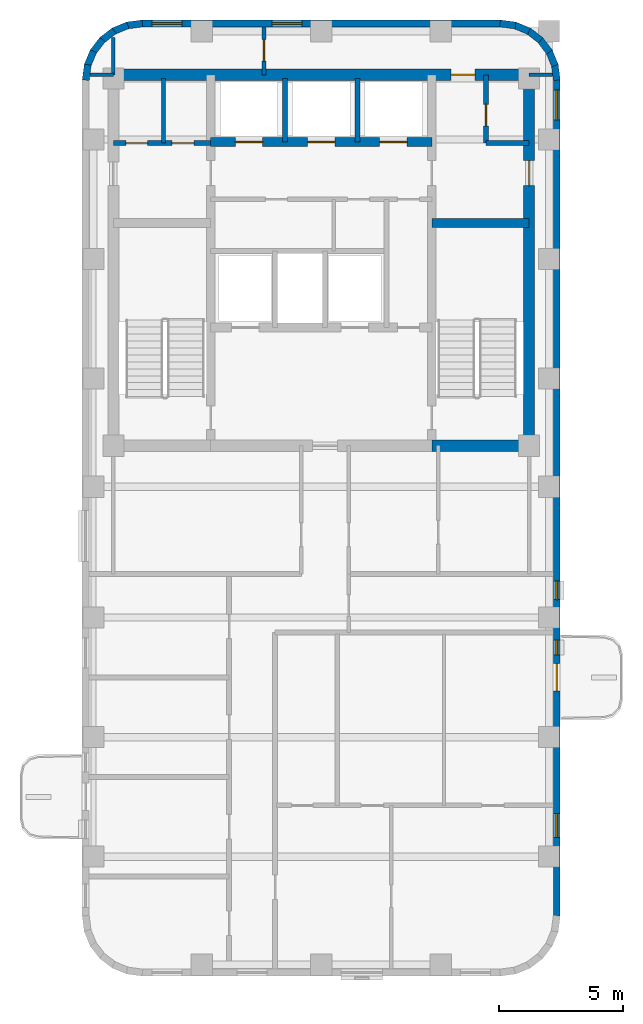
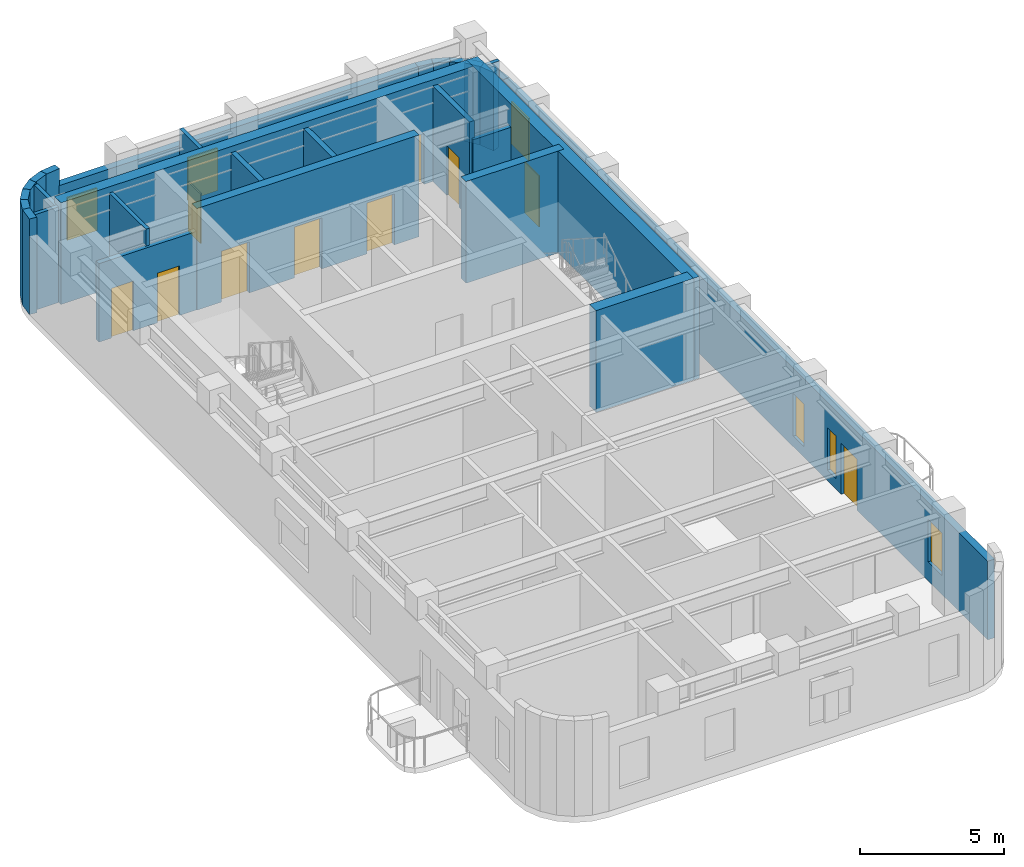
# One storey, part 4 of 6: 29 walls, 10 doors, 6 windows, 16 openings.
"""IFC4 building model written with IfcOpenShell, lengths in metres."""

from ifc_helpers import new_model, si_unit, direction, frame, frame_2d, origin, place, context, subcontext, project, spatial, rectangle, extrude, material, layer, layer_set, type_object, element, fill, save


model = new_model("IFC4")

# Units and contexts
model_context = context("Model", 3, precision=1e-05, world=origin(), true_north=direction((0.0, 1.0)))
body_context = subcontext(model_context, "Body", "Model", "MODEL_VIEW")
ifc_project = project(units=[si_unit("LENGTHUNIT", "METRE"), si_unit("AREAUNIT", "SQUARE_METRE"), si_unit("VOLUMEUNIT", "CUBIC_METRE"), si_unit("PLANEANGLEUNIT", "RADIAN"), si_unit("MASSUNIT", "GRAM", prefix="KILO")], contexts=[model_context])

# Site, building, storey
site_placement = place(None, origin())
site = spatial("IfcSite", under=ifc_project, at=site_placement, CompositionType="ELEMENT")
building_placement = place(site_placement, origin())
building = spatial("IfcBuilding", under=site, at=building_placement, Name="Orvandelia Arch Residences", CompositionType="ELEMENT")
storey_placement = place(building_placement, frame((0.0, 0.0, 244.10009765625)))
storey = spatial("IfcBuildingStorey", under=building, at=storey_placement, Name="L64", CompositionType="ELEMENT", Elevation=244.10009765625)

# Wall
ifc_material_1 = material(Name="Concrete C50/60", Category="concrete")
ifc_layer_1 = layer(ifc_material_1, 0.35009765625, Name="Concrete C50/60", Category="concrete")
ifc_layer_set_1 = layer_set([ifc_layer_1], Name="Concrete C50/60")
wall_type_1 = type_object("IfcWallType", Name="WL-CORE-350", PredefinedType="SHEAR", material=ifc_layer_set_1)
wall_1_placement = place(storey_placement, frame((18.840087890625, 39.85009765625, 0.0), z_axis=(0.0, 0.0, 1.0), x_axis=(1.0, 0.0, 0.0)))
element("IfcWall", 1, at=wall_1_placement, inside=storey, type_object=wall_type_1, Name="Core Shear Wall L64-HZ2", PredefinedType="SHEAR", context=body_context, shape_type="SweptSolid", body=[
    extrude(rectangle(XDim=3.909912109375, YDim=0.35009765625, at=frame_2d((1.955078125, 0.0))), origin(), (0.0, 0.0, 1.0), 4.2998046875),
])

# Wall, openings, doors
wall_2_placement = place(storey_placement, frame((9.9599609375, 43.10009765625, 0.0), z_axis=(0.0, 0.0, 1.0), x_axis=(1.0, 0.0, 0.0)))
wall_2 = element("IfcWall", 2, at=wall_2_placement, inside=storey, type_object=wall_type_1, Name="Core Shear Wall L64-HZ4", PredefinedType="SHEAR", context=body_context, shape_type="SweptSolid", body=[
    extrude(rectangle(XDim=8.880126953125, YDim=0.35009765625, at=frame_2d((4.43994140625, 0.0))), origin(), (0.0, 0.0, 1.0), 4.2998046875),
])
opening_1_placement = place(wall_2_placement, frame((0.989990234375, 0.0, 0.0)))
opening_1 = element("IfcOpeningElement", 3, at=opening_1_placement, cuts=wall_2, Name="Opening LD", PredefinedType="OPENING", context=body_context, shape_type="SweptSolid", body=[
    extrude(rectangle(XDim=1.10009765625, YDim=2.14990234375, at=frame_2d((0.550048828125, 1.074951171875))), frame((0.0, 0.18505859375, 0.0), z_axis=(0.0, -1.0, 0.0), x_axis=(1.0, 0.0, 0.0)), (0.0, 0.0, 1.0), 0.3701171875),
])
opening_2_placement = place(wall_2_placement, frame((3.889892578125, 0.0, 0.0)))
opening_2 = element("IfcOpeningElement", 4, at=opening_2_placement, cuts=wall_2, Name="Opening LD", PredefinedType="OPENING", context=body_context, shape_type="SweptSolid", body=[
    extrude(rectangle(XDim=1.10009765625, YDim=2.14990234375, at=frame_2d((0.550048828125, 1.074951171875))), frame((0.0, 0.18505859375, 0.0), z_axis=(0.0, -1.0, 0.0), x_axis=(1.0, 0.0, 0.0)), (0.0, 0.0, 1.0), 0.3701171875),
])
opening_3_placement = place(wall_2_placement, frame((6.7900390625, 0.0, 0.0)))
opening_3 = element("IfcOpeningElement", 5, at=opening_3_placement, cuts=wall_2, Name="Opening LD", PredefinedType="OPENING", context=body_context, shape_type="SweptSolid", body=[
    extrude(rectangle(XDim=1.10009765625, YDim=2.14990234375, at=frame_2d((0.550048828125, 1.074951171875))), frame((0.0, 0.18505859375, 0.0), z_axis=(0.0, -1.0, 0.0), x_axis=(1.0, 0.0, 0.0)), (0.0, 0.0, 1.0), 0.3701171875),
])
ifc_material_2 = material(Name="Brushed Stainless Steel Sliding Lift Door", Category="steel")
door_type_1 = type_object("IfcDoorType", Name="DR-LIFT-1100", OperationType="NOTDEFINED", PredefinedType="DOOR", material=ifc_material_2)
door_1_placement = place(opening_1_placement, origin())
door_1 = element("IfcDoor", 6, at=door_1_placement, inside=storey, type_object=door_type_1, Name="Lift Landing Door LD-PH1-L64", OperationType="SLIDING_TO_LEFT", OverallHeight=2.14990234375, OverallWidth=1.10009765625, PredefinedType="DOOR", context=body_context, shape_type="SweptSolid", body=[
    extrude(rectangle(XDim=1.10009765625, YDim=2.14990234375, at=frame_2d((0.550048828125, 1.074951171875))), frame((0.0, 0.02490234375, 0.0), z_axis=(0.0, -1.0, 0.0), x_axis=(1.0, 0.0, 0.0)), (0.0, 0.0, 1.0), 0.050048828125),
])
fill(opening_1, door_1)
door_2_placement = place(opening_2_placement, origin())
door_2 = element("IfcDoor", 7, at=door_2_placement, inside=storey, type_object=door_type_1, Name="Lift Landing Door LD-PH2-L64", OperationType="SLIDING_TO_RIGHT", OverallHeight=2.14990234375, OverallWidth=1.10009765625, PredefinedType="DOOR", context=body_context, shape_type="SweptSolid", body=[
    extrude(rectangle(XDim=1.10009765625, YDim=2.14990234375, at=frame_2d((0.550048828125, 1.074951171875))), frame((0.0, 0.02490234375, 0.0), z_axis=(0.0, -1.0, 0.0), x_axis=(1.0, 0.0, 0.0)), (0.0, 0.0, 1.0), 0.050048828125),
])
fill(opening_2, door_2)
door_3_placement = place(opening_3_placement, origin())
door_3 = element("IfcDoor", 8, at=door_3_placement, inside=storey, type_object=door_type_1, Name="Lift Landing Door LD-PH3-L64", OperationType="SLIDING_TO_LEFT", OverallHeight=2.14990234375, OverallWidth=1.10009765625, PredefinedType="DOOR", context=body_context, shape_type="SweptSolid", body=[
    extrude(rectangle(XDim=1.10009765625, YDim=2.14990234375, at=frame_2d((0.550048828125, 1.074951171875))), frame((0.0, 0.02490234375, 0.0), z_axis=(0.0, -1.0, 0.0), x_axis=(1.0, 0.0, 0.0)), (0.0, 0.0, 1.0), 0.050048828125),
])
fill(opening_3, door_3)

# Wall, opening, door
ifc_layer_2 = layer(ifc_material_1, 0.449951171875, Name="Concrete C50/60", Category="concrete")
ifc_layer_set_2 = layer_set([ifc_layer_2], Name="Concrete C50/60")
wall_type_2 = type_object("IfcWallType", Name="WL-CORE-450", PredefinedType="SHEAR", material=ifc_layer_set_2)
wall_3_placement = place(storey_placement, frame((22.75, 30.675048828125, 0.0), z_axis=(0.0, 0.0, 1.0), x_axis=(0.0, 1.0, 0.0)))
wall_3 = element("IfcWall", 9, at=wall_3_placement, inside=storey, type_object=wall_type_2, Name="Core Shear Wall L64-E", PredefinedType="SHEAR", context=body_context, shape_type="SweptSolid", body=[
    extrude(rectangle(XDim=15.349853515625, YDim=0.449951171875, at=frame_2d((7.6748046875, 0.0))), origin(), (0.0, 0.0, 1.0), 4.2998046875),
])
opening_4_placement = place(wall_3_placement, frame((10.675048828125, 0.0, 0.0)))
opening_4 = element("IfcOpeningElement", 10, at=opening_4_placement, cuts=wall_3, Name="Opening D6", PredefinedType="OPENING", context=body_context, shape_type="SweptSolid", body=[
    extrude(rectangle(XDim=1.0, YDim=2.14990234375, at=frame_2d((0.5, 1.074951171875))), frame((0.0, 0.23486328125, 0.0), z_axis=(0.0, -1.0, 0.0), x_axis=(1.0, 0.0, 0.0)), (0.0, 0.0, 1.0), 0.469970703125),
])
ifc_material_3 = material(Name="Smokeproof Painted Steel Fire Door", Category="steel")
door_type_2 = type_object("IfcDoorType", Name="DR-FD60-1000", OperationType="NOTDEFINED", PredefinedType="DOOR", material=ifc_material_3)
door_4_placement = place(opening_4_placement, origin())
door_4 = element("IfcDoor", 11, at=door_4_placement, inside=storey, type_object=door_type_2, Name="Core East Corridor Link Door L64", OperationType="SINGLE_SWING_LEFT", OverallHeight=2.14990234375, OverallWidth=1.0, PredefinedType="DOOR", context=body_context, shape_type="SweptSolid", body=[
    extrude(rectangle(XDim=1.0, YDim=2.14990234375, at=frame_2d((0.5, 1.074951171875))), frame((0.0, 0.02490234375, 0.0), z_axis=(0.0, -1.0, 0.0), x_axis=(1.0, 0.0, 0.0)), (0.0, 0.0, 1.0), 0.050048828125),
])
fill(opening_4, door_4)

wall_4_placement = place(storey_placement, frame((6.050048828125, 45.800048828125, 0.0), z_axis=(0.0, 0.0, 1.0), x_axis=(1.0, 0.0, 0.0)))
wall_4 = element("IfcWall", 12, at=wall_4_placement, inside=storey, type_object=wall_type_2, Name="Core Shear Wall L64-N", PredefinedType="SHEAR", context=body_context, shape_type="SweptSolid", body=[
    extrude(rectangle(XDim=16.699951171875, YDim=0.449951171875, at=frame_2d((8.35009765625, 0.0))), origin(), (0.0, 0.0, 1.0), 4.2998046875),
])
opening_5_placement = place(wall_4_placement, frame((13.570068359375, 0.0, 0.0)))
opening_5 = element("IfcOpeningElement", 13, at=opening_5_placement, cuts=wall_4, Name="Opening D2", PredefinedType="OPENING", context=body_context, shape_type="SweptSolid", body=[
    extrude(rectangle(XDim=0.949951171875, YDim=2.14990234375, at=frame_2d((0.47509765625, 1.074951171875))), frame((0.0, 0.23486328125, 0.0), z_axis=(0.0, -1.0, 0.0), x_axis=(1.0, 0.0, 0.0)), (0.0, 0.0, 1.0), 0.469970703125),
])
ifc_material_4 = material(Name="Solid-Core Timber Interior Fire Door", Category="wood")
door_type_3 = type_object("IfcDoorType", Name="DR-APT-950", OperationType="NOTDEFINED", PredefinedType="DOOR", material=ifc_material_4)
door_5_placement = place(opening_5_placement, origin())
door_5 = element("IfcDoor", 14, at=door_5_placement, inside=storey, type_object=door_type_3, Name="North Harbour Suite Entry Door L64", OperationType="SINGLE_SWING_LEFT", OverallHeight=2.14990234375, OverallWidth=0.949951171875, PredefinedType="DOOR", context=body_context, shape_type="SweptSolid", body=[
    extrude(rectangle(XDim=0.949951171875, YDim=2.14990234375, at=frame_2d((0.47509765625, 1.074951171875))), frame((0.0, 0.02490234375, 0.0), z_axis=(0.0, -1.0, 0.0), x_axis=(1.0, 0.0, 0.0)), (0.0, 0.0, 1.0), 0.050048828125),
])
fill(opening_5, door_5)

# Walls
wall_5_placement = place(storey_placement, frame((18.840087890625, 30.89990234375, 0.0), z_axis=(0.0, 0.0, 1.0), x_axis=(1.0, 0.0, 0.0)))
element("IfcWall", 15, at=wall_5_placement, inside=storey, type_object=wall_type_2, Name="Core Shear Wall L64-SE", PredefinedType="SHEAR", context=body_context, shape_type="SweptSolid", body=[
    extrude(rectangle(XDim=3.909912109375, YDim=0.449951171875, at=frame_2d((1.955078125, 0.0))), origin(), (0.0, 0.0, 1.0), 4.2998046875),
])
ifc_material_5 = material(Name="Precast concrete C40/50", Category="concrete")
ifc_layer_3 = layer(ifc_material_5, 0.280029296875, Name="Precast concrete C40/50", Category="concrete")
ifc_layer_set_3 = layer_set([ifc_layer_3], Name="Precast concrete C40/50")
wall_type_3 = type_object("IfcWallType", Name="WL-EXT-STONE-280", PredefinedType="STANDARD", material=ifc_layer_set_3)
for number, where, z_axis, x_axis, name in (
    (16, (4.938720703125, 45.581787109375, 0.0), (0.0, 0.0, 1.0), (0.130555323746, 0.9914410257, 0.0), "Coral-Limestone Precast Facade Wall L64-001"),
    (17, (5.010986328125, 46.16748046875, 0.0), (0.0, 0.0, 1.0), (0.382650053678, 0.92389335771, 0.0), "Coral-Limestone Precast Facade Wall L64-002"),
    (18, (5.232666015625, 46.71484375, 0.0), (0.0, 0.0, 1.0), (0.608693302629, 0.793405610854, 0.0), "Coral-Limestone Precast Facade Wall L64-003"),
    (19, (5.588134765625, 47.18603515625, 0.0), (0.0, 0.0, 1.0), (0.793405610854, 0.608693302629, 0.0), "Coral-Limestone Precast Facade Wall L64-004"),
):
    element("IfcWall", number, at=place(storey_placement, frame(where, z_axis=z_axis, x_axis=x_axis)), inside=storey, type_object=wall_type_3, Name=name, PredefinedType="STANDARD", context=body_context, shape_type="SweptSolid", body=[
        extrude(rectangle(XDim=0.62646484375, YDim=0.280029296875, at=frame_2d((0.313232421875, 0.0))), origin(), (0.0, 0.0, 1.0), 4.039794921875),
    ])
wall_6_placement = place(storey_placement, frame((6.0537109375, 47.54931640625, 0.0), z_axis=(0.0, 0.0, 1.0), x_axis=(0.923974080304, 0.382455093999, 0.0)))
element("IfcWall", 20, at=wall_6_placement, inside=storey, type_object=wall_type_3, Name="Coral-Limestone Precast Facade Wall L64-005", PredefinedType="STANDARD", context=body_context, shape_type="SweptSolid", body=[
    extrude(rectangle(XDim=0.626220703125, YDim=0.280029296875, at=frame_2d((0.31298828125, 0.0))), origin(), (0.0, 0.0, 1.0), 4.039794921875),
])
wall_7_placement = place(storey_placement, frame((6.59716796875, 47.779296875, 0.0), z_axis=(0.0, 0.0, 1.0), x_axis=(0.9914410257, 0.130555323746, 0.0)))
element("IfcWall", 21, at=wall_7_placement, inside=storey, type_object=wall_type_3, Name="Coral-Limestone Precast Facade Wall L64-006", PredefinedType="STANDARD", context=body_context, shape_type="SweptSolid", body=[
    extrude(rectangle(XDim=0.62646484375, YDim=0.280029296875, at=frame_2d((0.313232421875, 0.0))), origin(), (0.0, 0.0, 1.0), 4.039794921875),
])

# Wall, openings, windows
wall_8_placement = place(storey_placement, frame((7.199951171875, 47.860107421875, 0.0), z_axis=(0.0, 0.0, 1.0), x_axis=(1.0, 0.0, 0.0)))
wall_8 = element("IfcWall", 22, at=wall_8_placement, inside=storey, type_object=wall_type_3, Name="Coral-Limestone Precast Facade Wall L64-007", PredefinedType="STANDARD", context=body_context, shape_type="SweptSolid", body=[
    extrude(rectangle(XDim=14.400146484375, YDim=0.280029296875, at=frame_2d((7.2001953125, 0.0))), origin(), (0.0, 0.0, 1.0), 3.31982421875),
])
opening_6_placement = place(wall_8_placement, frame((0.407470703125, 0.0, 0.800048828125)))
opening_6 = element("IfcOpeningElement", 23, at=opening_6_placement, cuts=wall_8, Name="Opening W3", PredefinedType="OPENING", context=body_context, shape_type="SweptSolid", body=[
    extrude(rectangle(XDim=1.199951171875, YDim=1.800048828125, at=frame_2d((0.60009765625, 0.89990234375))), frame((0.0, 0.14990234375, 0.0), z_axis=(0.0, -1.0, 0.0), x_axis=(1.0, 0.0, 0.0)), (0.0, 0.0, 1.0), 0.300048828125),
])
opening_7_placement = place(wall_8_placement, frame((5.2275390625, 0.0, 0.800048828125)))
opening_7 = element("IfcOpeningElement", 24, at=opening_7_placement, cuts=wall_8, Name="Opening W3", PredefinedType="OPENING", context=body_context, shape_type="SweptSolid", body=[
    extrude(rectangle(XDim=1.199951171875, YDim=1.800048828125, at=frame_2d((0.60009765625, 0.89990234375))), frame((0.0, 0.14990234375, 0.0), z_axis=(0.0, -1.0, 0.0), x_axis=(1.0, 0.0, 0.0)), (0.0, 0.0, 1.0), 0.300048828125),
])
ifc_material_6 = material(Name="Tempered Low-E Insulated Glazing", Category="glass")
window_type_1 = type_object("IfcWindowType", Name="WIN-RES-1200x1800", PartitioningType="SINGLE_PANEL", PredefinedType="WINDOW", material=ifc_material_6)
window_1_placement = place(opening_6_placement, origin())
window_1 = element("IfcWindow", 25, at=window_1_placement, inside=storey, type_object=window_type_1, Name="Recessed Punched Window L64-001", OverallHeight=1.800048828125, OverallWidth=1.199951171875, PartitioningType="SINGLE_PANEL", PredefinedType="WINDOW", context=body_context, shape_type="SweptSolid", body=[
    extrude(rectangle(XDim=1.199951171875, YDim=1.800048828125, at=frame_2d((0.60009765625, 0.89990234375))), frame((0.0, 0.030029296875, 0.0), z_axis=(0.0, -1.0, 0.0), x_axis=(1.0, 0.0, 0.0)), (0.0, 0.0, 1.0), 0.06005859375),
])
fill(opening_6, window_1)
window_2_placement = place(opening_7_placement, origin())
window_2 = element("IfcWindow", 26, at=window_2_placement, inside=storey, type_object=window_type_1, Name="Recessed Punched Window L64-002", OverallHeight=1.800048828125, OverallWidth=1.199951171875, PartitioningType="SINGLE_PANEL", PredefinedType="WINDOW", context=body_context, shape_type="SweptSolid", body=[
    extrude(rectangle(XDim=1.199951171875, YDim=1.800048828125, at=frame_2d((0.60009765625, 0.89990234375))), frame((0.0, 0.030029296875, 0.0), z_axis=(0.0, -1.0, 0.0), x_axis=(1.0, 0.0, 0.0)), (0.0, 0.0, 1.0), 0.06005859375),
])
fill(opening_7, window_2)

# Walls
for number, where, z_axis, x_axis, name in (
    (27, (21.581787109375, 47.861083984375, 0.0), (0.0, 0.0, 1.0), (0.9914410257, -0.130555323746, 0.0), "Coral-Limestone Precast Facade Wall L64-008"),
    (28, (22.16748046875, 47.788818359375, 0.0), (0.0, 0.0, 1.0), (0.924031075431, -0.382317370307, 0.0), "Coral-Limestone Precast Facade Wall L64-009"),
    (29, (22.71484375, 47.5673828125, 0.0), (0.0, 0.0, 1.0), (0.793405610854, -0.608693302629, 0.0), "Coral-Limestone Precast Facade Wall L64-010"),
    (30, (23.18603515625, 47.2119140625, 0.0), (0.0, 0.0, 1.0), (0.608693302629, -0.793405610854, 0.0), "Coral-Limestone Precast Facade Wall L64-011"),
    (31, (23.54931640625, 46.746337890625, 0.0), (0.0, 0.0, 1.0), (0.382317370307, -0.924031075431, 0.0), "Coral-Limestone Precast Facade Wall L64-012"),
    (32, (23.779296875, 46.202880859375, 0.0), (0.0, 0.0, 1.0), (0.130555323746, -0.9914410257, 0.0), "Coral-Limestone Precast Facade Wall L64-013"),
):
    element("IfcWall", number, at=place(storey_placement, frame(where, z_axis=z_axis, x_axis=x_axis)), inside=storey, type_object=wall_type_3, Name=name, PredefinedType="STANDARD", context=body_context, shape_type="SweptSolid", body=[
        extrude(rectangle(XDim=0.62646484375, YDim=0.280029296875, at=frame_2d((0.313232421875, 0.0))), origin(), (0.0, 0.0, 1.0), 3.31982421875),
    ])

# Wall, openings, door, windows
wall_9_placement = place(storey_placement, frame((23.860107421875, 45.60009765625, 0.0), z_axis=(0.0, 0.0, 1.0), x_axis=(0.0, -1.0, 0.0)))
wall_9 = element("IfcWall", 33, at=wall_9_placement, inside=storey, type_object=wall_type_3, Name="Coral-Limestone Precast Facade Wall L64-014", PredefinedType="STANDARD", context=body_context, shape_type="SweptSolid", body=[
    extrude(rectangle(XDim=33.60009765625, YDim=0.280029296875, at=frame_2d((16.800048828125, 0.0))), origin(), (0.0, 0.0, 1.0), 3.31982421875),
])
opening_8_placement = place(wall_9_placement, frame((23.449951171875, 0.0, 0.0)))
opening_8 = element("IfcOpeningElement", 34, at=opening_8_placement, cuts=wall_9, Name="Opening BD1", PredefinedType="OPENING", context=body_context, shape_type="SweptSolid", body=[
    extrude(rectangle(XDim=1.10009765625, YDim=2.14990234375, at=frame_2d((0.550048828125, 1.074951171875))), frame((0.0, 0.14990234375, 0.0), z_axis=(0.0, -1.0, 0.0), x_axis=(1.0, 0.0, 0.0)), (0.0, 0.0, 1.0), 0.300048828125),
])
opening_9_placement = place(wall_9_placement, frame((22.5048828125, 0.0, 0.449951171875)))
opening_9 = element("IfcOpeningElement", 35, at=opening_9_placement, cuts=wall_9, Name="Opening W12", PredefinedType="OPENING", context=body_context, shape_type="SweptSolid", body=[
    extrude(rectangle(XDim=0.60009765625, YDim=1.800048828125, at=frame_2d((0.300048828125, 0.89990234375))), frame((0.0, 0.14990234375, 0.0), z_axis=(0.0, -1.0, 0.0), x_axis=(1.0, 0.0, 0.0)), (0.0, 0.0, 1.0), 0.300048828125),
])
opening_10_placement = place(wall_9_placement, frame((0.407470703125, 0.0, 0.800048828125)))
opening_10 = element("IfcOpeningElement", 36, at=opening_10_placement, cuts=wall_9, Name="Opening W3", PredefinedType="OPENING", context=body_context, shape_type="SweptSolid", body=[
    extrude(rectangle(XDim=1.199951171875, YDim=1.800048828125, at=frame_2d((0.60009765625, 0.89990234375))), frame((0.0, 0.14990234375, 0.0), z_axis=(0.0, -1.0, 0.0), x_axis=(1.0, 0.0, 0.0)), (0.0, 0.0, 1.0), 0.300048828125),
])
opening_11_placement = place(wall_9_placement, frame((29.4765625, 0.0, 0.800048828125)))
opening_11 = element("IfcOpeningElement", 37, at=opening_11_placement, cuts=wall_9, Name="Opening W4", PredefinedType="OPENING", context=body_context, shape_type="SweptSolid", body=[
    extrude(rectangle(XDim=0.949951171875, YDim=1.800048828125, at=frame_2d((0.47509765625, 0.89990234375))), frame((0.0, 0.14990234375, 0.0), z_axis=(0.0, -1.0, 0.0), x_axis=(1.0, 0.0, 0.0)), (0.0, 0.0, 1.0), 0.300048828125),
])
opening_12_placement = place(wall_9_placement, frame((20.132568359375, 0.0, 0.449951171875)))
opening_12 = element("IfcOpeningElement", 38, at=opening_12_placement, cuts=wall_9, Name="Opening W11", PredefinedType="OPENING", context=body_context, shape_type="SweptSolid", body=[
    extrude(rectangle(XDim=0.75, YDim=1.800048828125, at=frame_2d((0.375, 0.89990234375))), frame((0.0, 0.14990234375, 0.0), z_axis=(0.0, -1.0, 0.0), x_axis=(1.0, 0.0, 0.0)), (0.0, 0.0, 1.0), 0.300048828125),
])
ifc_material_7 = material(Name="Thermally Broken Aluminium Glazed Door", Category="aluminium")
door_type_4 = type_object("IfcDoorType", Name="DR-BAL-GLAZ-1100", OperationType="NOTDEFINED", PredefinedType="DOOR", material=ifc_material_7)
door_6_placement = place(opening_8_placement, origin())
door_6 = element("IfcDoor", 39, at=door_6_placement, inside=storey, type_object=door_type_4, Name="Tree Balcony Glazed Door BAL-L64-W2", OperationType="SINGLE_SWING_LEFT", OverallHeight=2.14990234375, OverallWidth=1.10009765625, PredefinedType="DOOR", context=body_context, shape_type="SweptSolid", body=[
    extrude(rectangle(XDim=1.10009765625, YDim=2.14990234375, at=frame_2d((0.550048828125, 1.074951171875))), frame((0.0, 0.02490234375, 0.0), z_axis=(0.0, -1.0, 0.0), x_axis=(1.0, 0.0, 0.0)), (0.0, 0.0, 1.0), 0.050048828125),
])
fill(opening_8, door_6)
window_type_2 = type_object("IfcWindowType", Name="WIN-BED-0750x1800", PartitioningType="SINGLE_PANEL", PredefinedType="WINDOW", material=ifc_material_6)
window_3_placement = place(opening_12_placement, origin())
window_3 = element("IfcWindow", 40, at=window_3_placement, inside=storey, type_object=window_type_2, Name="Recessed Punched Window L64-006", OverallHeight=1.800048828125, OverallWidth=0.75, PartitioningType="SINGLE_PANEL", PredefinedType="WINDOW", context=body_context, shape_type="SweptSolid", body=[
    extrude(rectangle(XDim=0.75, YDim=1.800048828125, at=frame_2d((0.375, 0.89990234375))), frame((0.0, 0.030029296875, 0.0), z_axis=(0.0, -1.0, 0.0), x_axis=(1.0, 0.0, 0.0)), (0.0, 0.0, 1.0), 0.06005859375),
])
fill(opening_12, window_3)
window_type_3 = type_object("IfcWindowType", Name="WIN-LAN-0600x1800", PartitioningType="SINGLE_PANEL", PredefinedType="WINDOW", material=ifc_material_6)
window_4_placement = place(opening_9_placement, origin())
window_4 = element("IfcWindow", 41, at=window_4_placement, inside=storey, type_object=window_type_3, Name="Recessed Punched Window L64-003", OverallHeight=1.800048828125, OverallWidth=0.60009765625, PartitioningType="SINGLE_PANEL", PredefinedType="WINDOW", context=body_context, shape_type="SweptSolid", body=[
    extrude(rectangle(XDim=0.60009765625, YDim=1.800048828125, at=frame_2d((0.300048828125, 0.89990234375))), frame((0.0, 0.030029296875, 0.0), z_axis=(0.0, -1.0, 0.0), x_axis=(1.0, 0.0, 0.0)), (0.0, 0.0, 1.0), 0.06005859375),
])
fill(opening_9, window_4)
window_type_4 = type_object("IfcWindowType", Name="WIN-RES-0950x1800", PartitioningType="SINGLE_PANEL", PredefinedType="WINDOW", material=ifc_material_6)
window_5_placement = place(opening_11_placement, origin())
window_5 = element("IfcWindow", 42, at=window_5_placement, inside=storey, type_object=window_type_4, Name="Recessed Punched Window L64-005", OverallHeight=1.800048828125, OverallWidth=0.949951171875, PartitioningType="SINGLE_PANEL", PredefinedType="WINDOW", context=body_context, shape_type="SweptSolid", body=[
    extrude(rectangle(XDim=0.949951171875, YDim=1.800048828125, at=frame_2d((0.47509765625, 0.89990234375))), frame((0.0, 0.030029296875, 0.0), z_axis=(0.0, -1.0, 0.0), x_axis=(1.0, 0.0, 0.0)), (0.0, 0.0, 1.0), 0.06005859375),
])
fill(opening_11, window_5)
window_6_placement = place(opening_10_placement, origin())
window_6 = element("IfcWindow", 43, at=window_6_placement, inside=storey, type_object=window_type_1, Name="Recessed Punched Window L64-004", OverallHeight=1.800048828125, OverallWidth=1.199951171875, PartitioningType="SINGLE_PANEL", PredefinedType="WINDOW", context=body_context, shape_type="SweptSolid", body=[
    extrude(rectangle(XDim=1.199951171875, YDim=1.800048828125, at=frame_2d((0.60009765625, 0.89990234375))), frame((0.0, 0.030029296875, 0.0), z_axis=(0.0, -1.0, 0.0), x_axis=(1.0, 0.0, 0.0)), (0.0, 0.0, 1.0), 0.06005859375),
])
fill(opening_10, window_6)

# Walls
ifc_material_8 = material(Name="Acoustic Gypsum Stud Partition")
ifc_layer_4 = layer(ifc_material_8, 0.14990234375, Name="Acoustic Gypsum Stud Partition")
ifc_layer_set_4 = layer_set([ifc_layer_4], Name="Acoustic Gypsum Stud Partition")
wall_type_4 = type_object("IfcWallType", Name="WL-PART-150", PredefinedType="PARTITIONING", material=ifc_layer_set_4)
wall_10_placement = place(storey_placement, frame((8.06005859375, 43.050048828125, 0.0), z_axis=(0.0, 0.0, 1.0), x_axis=(0.0, 1.0, 0.0)))
element("IfcWall", 44, at=wall_10_placement, inside=storey, type_object=wall_type_4, Name="Interior Partition Wall WL-L64-CRELC-M", PredefinedType="PARTITIONING", context=body_context, shape_type="SweptSolid", body=[
    extrude(rectangle(XDim=2.599853515625, YDim=0.14990234375, at=frame_2d((1.2998046875, 0.0))), origin(), (0.0, 0.0, 1.0), 4.039794921875),
])
wall_11_placement = place(storey_placement, frame((5.1201171875, 45.800048828125, 0.0), z_axis=(0.0, 0.0, 1.0), x_axis=(1.0, 0.0, 0.0)))
element("IfcWall", 45, at=wall_11_placement, inside=storey, type_object=wall_type_4, Name="Interior Partition Wall WL-L64-WF-N", PredefinedType="PARTITIONING", context=body_context, shape_type="SweptSolid", body=[
    extrude(rectangle(XDim=0.929931640625, YDim=0.14990234375, at=frame_2d((0.46484375, 0.0))), origin(), (0.0, 0.0, 1.0), 4.039794921875),
])
wall_12_placement = place(storey_placement, frame((6.050048828125, 45.800048828125, 0.0), z_axis=(0.0, 0.0, 1.0), x_axis=(0.0, 1.0, 0.0)))
element("IfcWall", 46, at=wall_12_placement, inside=storey, type_object=wall_type_4, Name="Interior Partition Wall WL-L64-NHI-W6", PredefinedType="PARTITIONING", context=body_context, shape_type="SweptSolid", body=[
    extrude(rectangle(XDim=1.5, YDim=0.14990234375, at=frame_2d((0.75, 0.0))), origin(), (0.0, 0.0, 1.0), 4.039794921875),
])
wall_13_placement = place(storey_placement, frame((22.75, 45.800048828125, 0.0), z_axis=(0.0, 0.0, 1.0), x_axis=(1.0, 0.0, 0.0)))
element("IfcWall", 47, at=wall_13_placement, inside=storey, type_object=wall_type_4, Name="Interior Partition Wall WL-L64-SEFLK-N", PredefinedType="PARTITIONING", context=body_context, shape_type="SweptSolid", body=[
    extrude(rectangle(XDim=0.929931640625, YDim=0.14990234375, at=frame_2d((0.46484375, 0.0))), origin(), (0.0, 0.0, 1.0), 4.039794921875),
])

# Wall, opening, door
wall_14_placement = place(storey_placement, frame((12.10009765625, 45.800048828125, 0.0), z_axis=(0.0, 0.0, 1.0), x_axis=(0.0, 1.0, 0.0)))
wall_14 = element("IfcWall", 48, at=wall_14_placement, inside=storey, type_object=wall_type_4, Name="Interior Partition Wall WL-L64-NHI-M", PredefinedType="PARTITIONING", context=body_context, shape_type="SweptSolid", body=[
    extrude(rectangle(XDim=1.919921875, YDim=0.14990234375, at=frame_2d((0.9599609375, 0.0))), origin(), (0.0, 0.0, 1.0), 4.039794921875),
])
opening_13_placement = place(wall_14_placement, frame((0.550048828125, 0.0, 0.0)))
opening_13 = element("IfcOpeningElement", 49, at=opening_13_placement, cuts=wall_14, Name="Opening D4", PredefinedType="OPENING", context=body_context, shape_type="SweptSolid", body=[
    extrude(rectangle(XDim=0.860107421875, YDim=2.10009765625, at=frame_2d((0.43017578125, 1.050048828125))), frame((0.0, 0.0849609375, 0.0), z_axis=(0.0, -1.0, 0.0), x_axis=(1.0, 0.0, 0.0)), (0.0, 0.0, 1.0), 0.169921875),
])
ifc_material_9 = material(Name="Moisture-Sealed Timber Bathroom Door", Category="wood")
door_type_5 = type_object("IfcDoorType", Name="DR-WET-900", OperationType="NOTDEFINED", PredefinedType="DOOR", material=ifc_material_9)
door_7_placement = place(opening_13_placement, origin())
door_7 = element("IfcDoor", 50, at=door_7_placement, inside=storey, type_object=door_type_5, Name="DR-L64-NHI1", OperationType="SINGLE_SWING_LEFT", OverallHeight=2.10009765625, OverallWidth=0.860107421875, PredefinedType="DOOR", context=body_context, shape_type="SweptSolid", body=[
    extrude(rectangle(XDim=0.860107421875, YDim=2.10009765625, at=frame_2d((0.43017578125, 1.050048828125))), frame((0.0, 0.02490234375, 0.0), z_axis=(0.0, -1.0, 0.0), x_axis=(1.0, 0.0, 0.0)), (0.0, 0.0, 1.0), 0.050048828125),
])
fill(opening_13, door_7)

# Wall
ifc_material_10 = material(Name="Fire-Rated Shaft Enclosure Wall")
ifc_layer_5 = layer(ifc_material_10, 0.199951171875, Name="Fire-Rated Shaft Enclosure Wall")
ifc_layer_set_5 = layer_set([ifc_layer_5], Name="Fire-Rated Shaft Enclosure Wall")
wall_type_5 = type_object("IfcWallType", Name="WL-SHAFT-200", PredefinedType="POLYGONAL", material=ifc_layer_set_5)
wall_15_placement = place(storey_placement, frame((21.02001953125, 43.050048828125, 0.0), z_axis=(0.0, 0.0, 1.0), x_axis=(1.0, 0.0, 0.0)))
element("IfcWall", 51, at=wall_15_placement, inside=storey, type_object=wall_type_5, Name="Interior Partition Wall WL-L64-HLE-N", PredefinedType="POLYGONAL", context=body_context, shape_type="SweptSolid", body=[
    extrude(rectangle(XDim=1.72998046875, YDim=0.199951171875, at=frame_2d((0.864990234375, 0.0))), origin(), (0.0, 0.0, 1.0), 3.31982421875),
])

# Wall, opening, door
wall_16_placement = place(storey_placement, frame((21.02001953125, 43.050048828125, 0.0), z_axis=(0.0, 0.0, 1.0), x_axis=(0.0, 1.0, 0.0)))
wall_16 = element("IfcWall", 52, at=wall_16_placement, inside=storey, type_object=wall_type_5, Name="Interior Partition Wall WL-L64-HLE-W21", PredefinedType="POLYGONAL", context=body_context, shape_type="SweptSolid", body=[
    extrude(rectangle(XDim=2.75, YDim=0.199951171875, at=frame_2d((1.375, 0.0))), origin(), (0.0, 0.0, 1.0), 4.039794921875),
])
opening_14_placement = place(wall_16_placement, frame((0.699951171875, 0.0, 0.0)))
opening_14 = element("IfcOpeningElement", 53, at=opening_14_placement, cuts=wall_16, Name="Opening D4", PredefinedType="OPENING", context=body_context, shape_type="SweptSolid", body=[
    extrude(rectangle(XDim=0.860107421875, YDim=2.10009765625, at=frame_2d((0.43017578125, 1.050048828125))), frame((0.0, 0.10986328125, 0.0), z_axis=(0.0, -1.0, 0.0), x_axis=(1.0, 0.0, 0.0)), (0.0, 0.0, 1.0), 0.219970703125),
])
door_8_placement = place(opening_14_placement, origin())
door_8 = element("IfcDoor", 54, at=door_8_placement, inside=storey, type_object=door_type_5, Name="DR-L64-CSB2", OperationType="SINGLE_SWING_LEFT", OverallHeight=2.10009765625, OverallWidth=0.860107421875, PredefinedType="DOOR", context=body_context, shape_type="SweptSolid", body=[
    extrude(rectangle(XDim=0.860107421875, YDim=2.10009765625, at=frame_2d((0.43017578125, 1.050048828125))), frame((0.0, 0.02490234375, 0.0), z_axis=(0.0, -1.0, 0.0), x_axis=(1.0, 0.0, 0.0)), (0.0, 0.0, 1.0), 0.050048828125),
])
fill(opening_14, door_8)

# Wall, openings, doors
wall_17_placement = place(storey_placement, frame((6.050048828125, 43.050048828125, 0.0), z_axis=(0.0, 0.0, 1.0), x_axis=(1.0, 0.0, 0.0)))
wall_17 = element("IfcWall", 55, at=wall_17_placement, inside=storey, type_object=wall_type_5, Name="Interior Partition Wall WL-L64-HLW-N", PredefinedType="POLYGONAL", context=body_context, shape_type="SweptSolid", body=[
    extrude(rectangle(XDim=3.909912109375, YDim=0.199951171875, at=frame_2d((1.955078125, 0.0))), origin(), (0.0, 0.0, 1.0), 3.31982421875),
])
opening_15_placement = place(wall_17_placement, frame((0.5, 0.0, 0.0)))
opening_15 = element("IfcOpeningElement", 56, at=opening_15_placement, cuts=wall_17, Name="Opening D5", PredefinedType="OPENING", context=body_context, shape_type="SweptSolid", body=[
    extrude(rectangle(XDim=0.8798828125, YDim=2.10009765625, at=frame_2d((0.43994140625, 1.050048828125))), frame((0.0, 0.10986328125, 0.0), z_axis=(0.0, -1.0, 0.0), x_axis=(1.0, 0.0, 0.0)), (0.0, 0.0, 1.0), 0.219970703125),
])
opening_16_placement = place(wall_17_placement, frame((2.35009765625, 0.0, 0.0)))
opening_16 = element("IfcOpeningElement", 57, at=opening_16_placement, cuts=wall_17, Name="Opening D5", PredefinedType="OPENING", context=body_context, shape_type="SweptSolid", body=[
    extrude(rectangle(XDim=0.8798828125, YDim=2.10009765625, at=frame_2d((0.43994140625, 1.050048828125))), frame((0.0, 0.10986328125, 0.0), z_axis=(0.0, -1.0, 0.0), x_axis=(1.0, 0.0, 0.0)), (0.0, 0.0, 1.0), 0.219970703125),
])
ifc_material_11 = material(Name="Painted Galvanised Steel Service Door", Category="steel")
door_type_6 = type_object("IfcDoorType", Name="DR-SRV-880", OperationType="NOTDEFINED", PredefinedType="DOOR", material=ifc_material_11)
door_9_placement = place(opening_15_placement, origin())
door_9 = element("IfcDoor", 58, at=door_9_placement, inside=storey, type_object=door_type_6, Name="DR-L64-CRELC1", OperationType="SINGLE_SWING_LEFT", OverallHeight=2.10009765625, OverallWidth=0.8798828125, PredefinedType="DOOR", context=body_context, shape_type="SweptSolid", body=[
    extrude(rectangle(XDim=0.8798828125, YDim=2.10009765625, at=frame_2d((0.43994140625, 1.050048828125))), frame((0.0, 0.02490234375, 0.0), z_axis=(0.0, -1.0, 0.0), x_axis=(1.0, 0.0, 0.0)), (0.0, 0.0, 1.0), 0.050048828125),
])
fill(opening_15, door_9)
door_10_placement = place(opening_16_placement, origin())
door_10 = element("IfcDoor", 59, at=door_10_placement, inside=storey, type_object=door_type_6, Name="DR-L64-CRELC2", OperationType="SINGLE_SWING_RIGHT", OverallHeight=2.10009765625, OverallWidth=0.8798828125, PredefinedType="DOOR", context=body_context, shape_type="SweptSolid", body=[
    extrude(rectangle(XDim=0.8798828125, YDim=2.10009765625, at=frame_2d((0.43994140625, 1.050048828125))), frame((0.0, 0.02490234375, 0.0), z_axis=(0.0, -1.0, 0.0), x_axis=(1.0, 0.0, 0.0)), (0.0, 0.0, 1.0), 0.050048828125),
])
fill(opening_16, door_10)

# Walls
for number, where, z_axis, x_axis, name in (
    (60, (12.949951171875, 43.10009765625, 0.0), (0.0, 0.0, 1.0), (0.0, 1.0, 0.0), "Interior Partition Wall WL-L64-PHD1"),
    (61, (15.85009765625, 43.10009765625, 0.0), (0.0, 0.0, 1.0), (0.0, 1.0, 0.0), "Interior Partition Wall WL-L64-PHD2"),
):
    element("IfcWall", number, at=place(storey_placement, frame(where, z_axis=z_axis, x_axis=x_axis)), inside=storey, type_object=wall_type_5, Name=name, PredefinedType="POLYGONAL", context=body_context, shape_type="SweptSolid", body=[
        extrude(rectangle(XDim=2.5498046875, YDim=0.199951171875, at=frame_2d((1.27490234375, 0.0))), origin(), (0.0, 0.0, 1.0), 4.039794921875),
    ])

save(model, "model.ifc")
